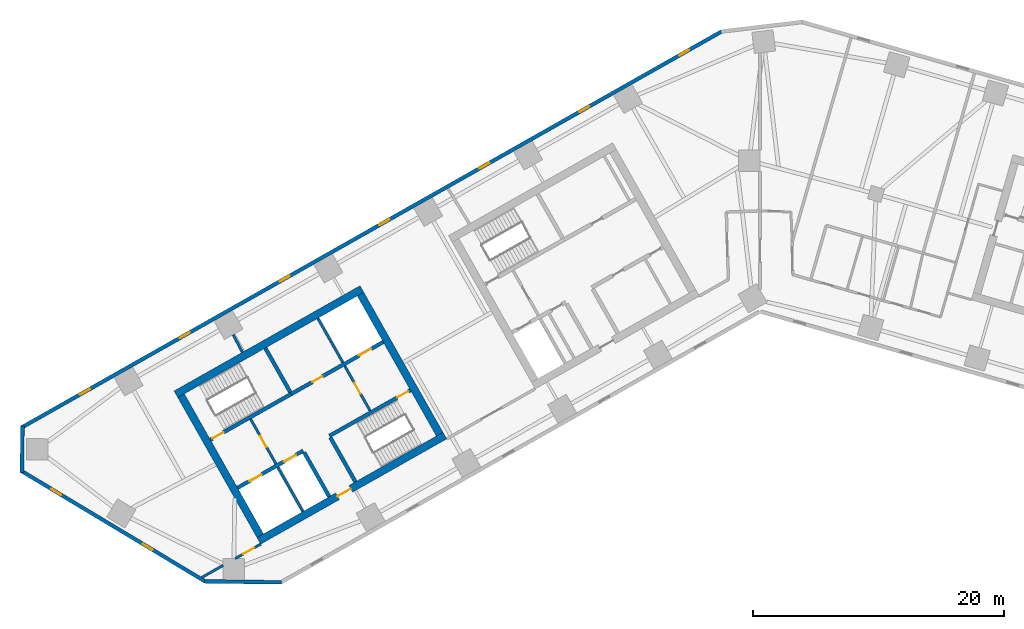
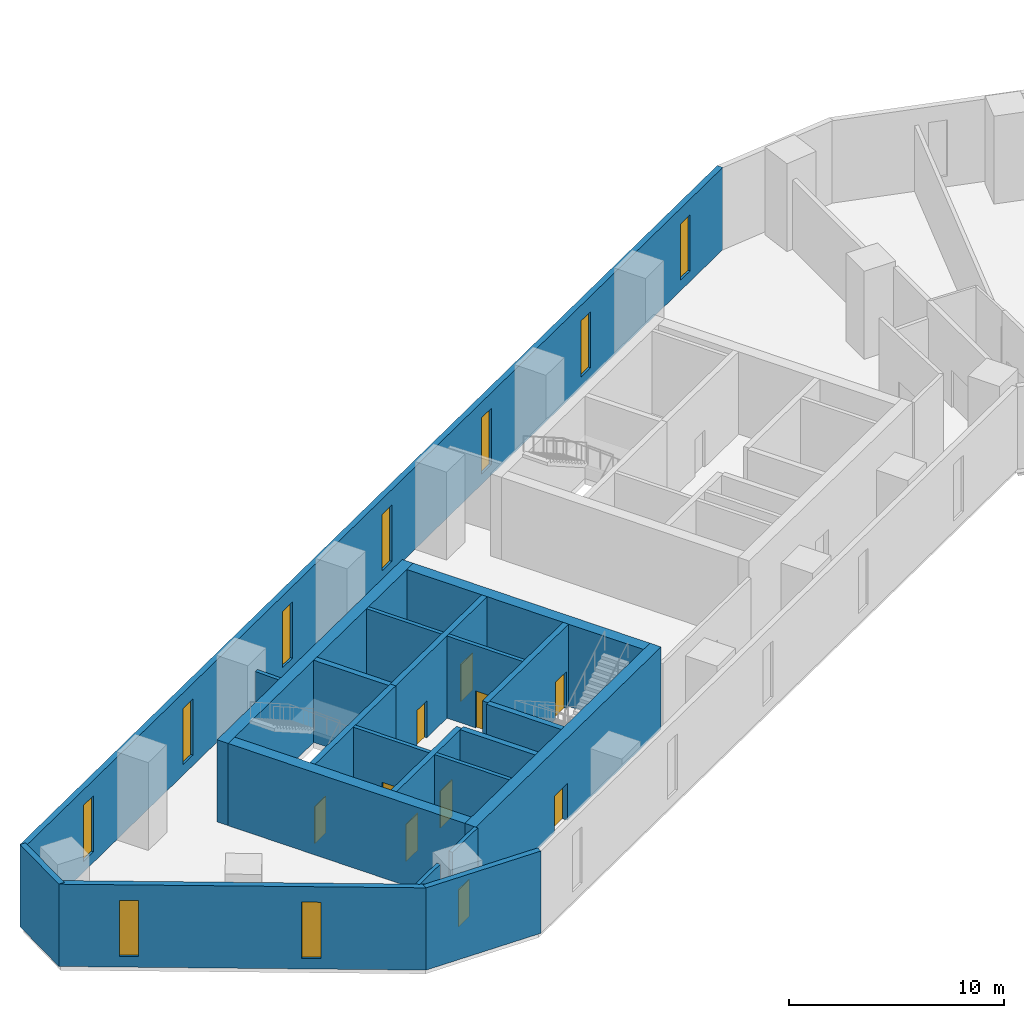
# One storey, part 3 of 10: 22 walls, 10 doors, 9 windows, 19 openings.
"""IFC4 building model written with IfcOpenShell, lengths in metres."""

import ifcopenshell
import ifcopenshell.guid

model = None  # the IFC model being written
_history = None  # IfcOwnerHistory: only IFC2X3 demands one
_inside = {}  # id of a spatial element -> (the spatial element, [elements in it])
_under = {}  # id of a project, library or spatial element -> (it, [spatial elements below it])
_declared = {}  # id of a project -> (the project, [libraries it declares])
_typed = {}  # id of a type object -> (the type object, [elements of that type])
_made_of = {}  # id of a material, layer set ... -> (it, [elements and type objects made of it])


def new_model(schema):
    """Start an empty IFC model of exactly this schema.

    Asked for "IFC4X3", IfcOpenShell would pick the latest addendum, in which some entities
    have other attributes; the version numbers below select the first issue.
    IFC2X3 requires an IfcOwnerHistory on every rooted entity: one is made here for all.
    """
    global model, _history
    if schema == "IFC4X3":
        model = ifcopenshell.file(schema_version=(4, 3, 0, 0))
    else:
        model = ifcopenshell.file(schema=schema)
    _inside.clear()
    _under.clear()
    _declared.clear()
    _typed.clear()
    _made_of.clear()
    _history = None
    if model.schema == "IFC2X3":
        org = make("IfcOrganization", Name="unknown")
        user = make(
            "IfcPersonAndOrganization",
            ThePerson=make("IfcPerson", FamilyName="unknown"),
            TheOrganization=org,
        )
        app = make(
            "IfcApplication",
            ApplicationDeveloper=org,
            Version="unknown",
            ApplicationFullName="unknown",
            ApplicationIdentifier="unknown",
        )
        _history = make(
            "IfcOwnerHistory",
            OwningUser=user,
            OwningApplication=app,
            ChangeAction="ADDED",
            CreationDate=0,
        )
    return model


def make(cls, **values):
    """One entity of the class cls with the attributes given. An attribute that is None is left unset."""
    return model.create_entity(
        cls, **{name: value for name, value in values.items() if value is not None}
    )


def rooted(cls, **values):
    """An entity with a GlobalId (a new one), such as an element, a storey or a relation."""
    return make(cls, GlobalId=ifcopenshell.guid.new(), OwnerHistory=_history, **values)


def si_unit(unit_type, name, prefix=None):
    """IfcSIUnit, for example si_unit("LENGTHUNIT", "METRE", prefix="MILLI")."""
    return make("IfcSIUnit", UnitType=unit_type, Prefix=prefix, Name=name)


def assignment(units):
    """IfcUnitAssignment: the units of a project."""
    return None if units is None else make("IfcUnitAssignment", Units=units)


def point(xyz):
    """IfcCartesianPoint."""
    return None if xyz is None else make("IfcCartesianPoint", Coordinates=xyz)


def direction(xyz):
    """IfcDirection."""
    return None if xyz is None else make("IfcDirection", DirectionRatios=xyz)


def frame(location, z_axis=None, x_axis=None):
    """IfcAxis2Placement3D, a coordinate frame: its origin and axes. An axis left out is left unset."""
    return make(
        "IfcAxis2Placement3D",
        Location=point(location),
        Axis=direction(z_axis),
        RefDirection=direction(x_axis),
    )


def frame_2d(location, x_axis=None):
    """IfcAxis2Placement2D, a coordinate frame in the plane: its origin and x axis."""
    return make(
        "IfcAxis2Placement2D", Location=point(location), RefDirection=direction(x_axis)
    )


def origin():
    """The frame at (0, 0, 0) with its axes left unset."""
    return frame((0.0, 0.0, 0.0))


def place(relative_to, where):
    """IfcLocalPlacement: puts the frame where relative to a parent placement (None: the world)."""
    return make(
        "IfcLocalPlacement", PlacementRelTo=relative_to, RelativePlacement=where
    )


def context(
    kind, dimensions, precision=None, world=None, true_north=None, identifier=None
):
    """IfcGeometricRepresentationContext, for example the 3D "Model" context."""
    return make(
        "IfcGeometricRepresentationContext",
        ContextIdentifier=identifier,
        ContextType=kind,
        CoordinateSpaceDimension=dimensions,
        Precision=precision,
        WorldCoordinateSystem=world,
        TrueNorth=true_north,
    )


def subcontext(parent, identifier, kind, view, scale=None):
    """IfcGeometricRepresentationSubContext, for example "Body" below "Model"."""
    return make(
        "IfcGeometricRepresentationSubContext",
        ContextIdentifier=identifier,
        ContextType=kind,
        ParentContext=parent,
        TargetScale=scale,
        TargetView=view,
    )


def project(units=None, contexts=None):
    """IfcProject with its units and contexts."""
    return rooted(
        "IfcProject",
        Name="project",
        RepresentationContexts=contexts,
        UnitsInContext=assignment(units),
    )


def spatial(cls, under=None, at=None, **own):
    """A site, building, storey or space (cls), placed at a placement, below another one or the project."""
    s = rooted(cls, ObjectPlacement=at, **own)
    if under is not None:
        _under.setdefault(under.id(), (under, []))[1].append(s)
    return s


def profile(cls, at=None, kind="AREA", **sizes):
    """A parametric profile (cls). Its sizes go by their IFC names, for example OverallWidth=200.0."""
    return make(cls, ProfileType=kind, Position=at, **sizes)


def rectangle(**sizes):
    """IfcRectangleProfileDef."""
    return profile("IfcRectangleProfileDef", **sizes)


def extrude(swept, where, along, depth):
    """IfcExtrudedAreaSolid: the profile swept, set in the frame where, extruded along a direction by depth."""
    return make(
        "IfcExtrudedAreaSolid",
        SweptArea=swept,
        Position=where,
        ExtrudedDirection=direction(along),
        Depth=depth,
    )


def shape(context_of_items, identifier, shape_type, items):
    """IfcShapeRepresentation: the items that make up one representation, for example the "Body"."""
    return make(
        "IfcShapeRepresentation",
        ContextOfItems=context_of_items,
        RepresentationIdentifier=identifier,
        RepresentationType=shape_type,
        Items=items,
    )


def material(Name=None, Category=None):
    """IfcMaterial."""
    return make("IfcMaterial", Name=Name, Category=Category)


def layer(
    of_material, thickness, ventilated=None, Name=None, Category=None, Priority=None
):
    """IfcMaterialLayer: one layer of a wall or slab, of a material (None: an air gap)."""
    return make(
        "IfcMaterialLayer",
        Material=of_material,
        LayerThickness=thickness,
        IsVentilated=ventilated,
        Name=Name,
        Category=Category,
        Priority=Priority,
    )


def layer_set(layers, Name=None):
    """IfcMaterialLayerSet."""
    return make("IfcMaterialLayerSet", MaterialLayers=layers, LayerSetName=Name)


def made_of(thing, what):
    """Note that an element or type object is made of a material, layer set ...; save() writes the relation."""
    if what is not None:
        _made_of.setdefault(what.id(), (what, []))[1].append(thing)
    return thing


def type_object(cls, material=None, **own):
    """A type object (cls), such as IfcWallType, which elements share."""
    return made_of(rooted(cls, **own), material)


def element(
    cls,
    number,
    at=None,
    inside=None,
    cuts=None,
    type_object=None,
    material=None,
    context=None,
    identifier="Body",
    shape_type=None,
    held_by="IfcProductDefinitionShape",
    body=None,
    shapes=None,
    **own,
):
    """One element of the class cls, such as IfcWall. Its Tag is "e" and its number.

    at: its placement. inside: the storey or other place that contains it. cuts: it is an
    opening in that element (IfcRelVoidsElement). A single representation is given by context,
    identifier, shape_type and body (its items); several are given by shapes. held_by: the class
    of the entity that holds the representations. save() writes the other relations.
    """
    e = rooted(cls, Tag="e%d" % number, ObjectPlacement=at, **own)
    if body is not None:
        shapes = [shape(context, identifier, shape_type, body)]
    if shapes is not None:
        e.Representation = make(held_by, Representations=shapes)
    if inside is not None:
        _inside.setdefault(inside.id(), (inside, []))[1].append(e)
    if cuts is not None:
        rooted(
            "IfcRelVoidsElement", RelatingBuildingElement=cuts, RelatedOpeningElement=e
        )
    if type_object is not None:
        _typed.setdefault(type_object.id(), (type_object, []))[1].append(e)
    return made_of(e, material)


def fill(opening, filler):
    """IfcRelFillsElement: the door or window that sits in an opening."""
    return rooted(
        "IfcRelFillsElement",
        RelatingOpeningElement=opening,
        RelatedBuildingElement=filler,
    )


def aggregate(whole, parts):
    """IfcRelAggregates: a whole, such as a stair, and the parts it consists of."""
    return rooted("IfcRelAggregates", RelatingObject=whole, RelatedObjects=parts)


def save(model, path):
    """Write the relations noted so far, then the file.

    IfcRelAggregates (storeys below a building ...), IfcRelContainedInSpatialStructure (elements
    in a storey), IfcRelDefinesByType, IfcRelAssociatesMaterial and IfcRelDeclares: one each for
    every whole, place, type object, material and project.
    """
    for whole, parts in _under.values():
        aggregate(whole, parts)
    for where, things in _inside.values():
        rooted(
            "IfcRelContainedInSpatialStructure",
            RelatedElements=things,
            RelatingStructure=where,
        )
    for kind, things in _typed.values():
        rooted("IfcRelDefinesByType", RelatedObjects=things, RelatingType=kind)
    for what, things in _made_of.values():
        rooted("IfcRelAssociatesMaterial", RelatedObjects=things, RelatingMaterial=what)
    for by, libraries in _declared.values():
        rooted("IfcRelDeclares", RelatingContext=by, RelatedDefinitions=libraries)
    model.write(path)


model = new_model("IFC4")

# Units and contexts
model_context = context("Model", 3, precision=1e-05, world=origin(), true_north=direction((0.0, 1.0)))
body_context = subcontext(model_context, "Body", "Model", "MODEL_VIEW")
ifc_project = project(units=[si_unit("LENGTHUNIT", "METRE"), si_unit("AREAUNIT", "SQUARE_METRE"), si_unit("VOLUMEUNIT", "CUBIC_METRE"), si_unit("PLANEANGLEUNIT", "RADIAN"), si_unit("MASSUNIT", "GRAM", prefix="KILO")], contexts=[model_context])

# Site, building, storey
site_placement = place(None, origin())
site = spatial("IfcSite", under=ifc_project, at=site_placement, CompositionType="ELEMENT")
building_placement = place(site_placement, origin())
building = spatial("IfcBuilding", under=site, at=building_placement, Name="Binnacle Exchange Tower", CompositionType="ELEMENT")
storey_placement = place(building_placement, frame((0.0, 0.0, 71.5)))
storey = spatial("IfcBuildingStorey", under=building, at=storey_placement, Name="L14", CompositionType="ELEMENT", Elevation=71.5)

# Wall, openings, doors
ifc_material_1 = material(Name="Concrete C70/85", Category="concrete")
ifc_layer_1 = layer(ifc_material_1, 0.300048828125)
ifc_layer_set_1 = layer_set([ifc_layer_1], Name="Core wall - front 300")
wall_type_1 = type_object("IfcWallType", Name="Core wall - front 300", PredefinedType="SOLIDWALL", material=ifc_layer_set_1)
wall_1_placement = place(storey_placement, frame((-41.555908203125, 33.9609375, 0.0), z_axis=(0.0, 0.0, 1.0), x_axis=(0.870343731308, 0.492444706919, 0.0)))
wall_1 = element("IfcWall", 1, at=wall_1_placement, inside=storey, type_object=wall_type_1, Name="Core wall CRWA2", PredefinedType="SOLIDWALL", context=body_context, shape_type="SweptSolid", body=[
    extrude(rectangle(XDim=5.999755859375, YDim=0.300048828125, at=frame_2d((3.0, 0.0))), origin(), (0.0, 0.0, 1.0), 4.679931640625),
])
opening_1_placement = place(wall_1_placement, frame((1.099853515625, 0.0, 0.0)))
opening_1 = element("IfcOpeningElement", 2, at=opening_1_placement, cuts=wall_1, Name="Opening LD12", PredefinedType="OPENING", context=body_context, shape_type="SweptSolid", body=[
    extrude(rectangle(XDim=1.10009765625, YDim=2.10009765625, at=frame_2d((0.550048828125, 1.050048828125))), frame((0.0, 0.159912109375, 0.0), z_axis=(0.0, -1.0, 0.0), x_axis=(1.0, 0.0, 0.0)), (0.0, 0.0, 1.0), 0.320068359375),
])
opening_2_placement = place(wall_1_placement, frame((4.25, 0.0, 0.0)))
opening_2 = element("IfcOpeningElement", 3, at=opening_2_placement, cuts=wall_1, Name="Opening LD8", PredefinedType="OPENING", context=body_context, shape_type="SweptSolid", body=[
    extrude(rectangle(XDim=1.10009765625, YDim=2.10009765625, at=frame_2d((0.550048828125, 1.050048828125))), frame((0.0, 0.159912109375, 0.0), z_axis=(0.0, -1.0, 0.0), x_axis=(1.0, 0.0, 0.0)), (0.0, 0.0, 1.0), 0.320068359375),
])
ifc_material_2 = material(Name="Steel door leaf", Category="steel")
door_type_1 = type_object("IfcDoorType", Name="Fire door - lift landing 1100", OperationType="NOTDEFINED", PredefinedType="DOOR", material=ifc_material_2)
door_1_placement = place(opening_1_placement, origin())
door_1 = element("IfcDoor", 4, at=door_1_placement, inside=storey, type_object=door_type_1, Name="Landing door LD12 L14", OperationType="DOUBLE_DOOR_SLIDING", OverallHeight=2.10009765625, OverallWidth=1.10009765625, PredefinedType="DOOR", context=body_context, shape_type="SweptSolid", body=[
    extrude(rectangle(XDim=1.10009765625, YDim=2.10009765625, at=frame_2d((0.550048828125, 1.050048828125))), frame((0.0, 0.02490234375, 0.0), z_axis=(0.0, -1.0, 0.0), x_axis=(1.0, 0.0, 0.0)), (0.0, 0.0, 1.0), 0.050048828125),
])
fill(opening_1, door_1)
door_2_placement = place(opening_2_placement, origin())
door_2 = element("IfcDoor", 5, at=door_2_placement, inside=storey, type_object=door_type_1, Name="Landing door LD8 L14", OperationType="DOUBLE_DOOR_SLIDING", OverallHeight=2.10009765625, OverallWidth=1.10009765625, PredefinedType="DOOR", context=body_context, shape_type="SweptSolid", body=[
    extrude(rectangle(XDim=1.10009765625, YDim=2.10009765625, at=frame_2d((0.550048828125, 1.050048828125))), frame((0.0, 0.02490234375, 0.0), z_axis=(0.0, -1.0, 0.0), x_axis=(1.0, 0.0, 0.0)), (0.0, 0.0, 1.0), 0.050048828125),
])
fill(opening_2, door_2)

wall_2_placement = place(storey_placement, frame((-37.281982421875, 41.4345703125, 0.0), z_axis=(0.0, 0.0, 1.0), x_axis=(0.870356516133, 0.492422110414, 0.0)))
wall_2 = element("IfcWall", 6, at=wall_2_placement, inside=storey, type_object=wall_type_1, Name="Core wall CRWA5", PredefinedType="SOLIDWALL", context=body_context, shape_type="SweptSolid", body=[
    extrude(rectangle(XDim=8.399658203125, YDim=0.300048828125, at=frame_2d((4.19970703125, 0.0))), origin(), (0.0, 0.0, 1.0), 4.679931640625),
])
opening_3_placement = place(wall_2_placement, frame((6.199951171875, 0.0, 0.0)))
opening_3 = element("IfcOpeningElement", 7, at=opening_3_placement, cuts=wall_2, Name="Opening LD13", PredefinedType="OPENING", context=body_context, shape_type="SweptSolid", body=[
    extrude(rectangle(XDim=1.10009765625, YDim=2.10009765625, at=frame_2d((0.550048828125, 1.050048828125))), frame((0.0, 0.159912109375, 0.0), z_axis=(0.0, -1.0, 0.0), x_axis=(1.0, 0.0, 0.0)), (0.0, 0.0, 1.0), 0.320068359375),
])
opening_4_placement = place(wall_2_placement, frame((1.949951171875, 0.0, 0.0)))
opening_4 = element("IfcOpeningElement", 8, at=opening_4_placement, cuts=wall_2, Name="Opening DA10", PredefinedType="OPENING", context=body_context, shape_type="SweptSolid", body=[
    extrude(rectangle(XDim=0.89990234375, YDim=2.10009765625, at=frame_2d((0.449951171875, 1.050048828125))), frame((0.0, 0.159912109375, 0.0), z_axis=(0.0, -1.0, 0.0), x_axis=(1.0, 0.0, 0.0)), (0.0, 0.0, 1.0), 0.320068359375),
])
door_3_placement = place(opening_3_placement, origin())
door_3 = element("IfcDoor", 9, at=door_3_placement, inside=storey, type_object=door_type_1, Name="Landing door LD13 L14", OperationType="DOUBLE_DOOR_SLIDING", OverallHeight=2.10009765625, OverallWidth=1.10009765625, PredefinedType="DOOR", context=body_context, shape_type="SweptSolid", body=[
    extrude(rectangle(XDim=1.10009765625, YDim=2.10009765625, at=frame_2d((0.550048828125, 1.050048828125))), frame((0.0, 0.02490234375, 0.0), z_axis=(0.0, -1.0, 0.0), x_axis=(1.0, 0.0, 0.0)), (0.0, 0.0, 1.0), 0.050048828125),
])
fill(opening_3, door_3)
door_type_2 = type_object("IfcDoorType", Name="Fire door 900", OperationType="NOTDEFINED", PredefinedType="DOOR", material=ifc_material_2)
door_4_placement = place(opening_4_placement, origin())
door_4 = element("IfcDoor", 10, at=door_4_placement, inside=storey, type_object=door_type_2, Name="Core room door TELECOM RISER ROOM", OperationType="SINGLE_SWING_LEFT", OverallHeight=2.10009765625, OverallWidth=0.89990234375, PredefinedType="DOOR", context=body_context, shape_type="SweptSolid", body=[
    extrude(rectangle(XDim=0.89990234375, YDim=2.10009765625, at=frame_2d((0.449951171875, 1.050048828125))), frame((0.0, 0.02490234375, 0.0), z_axis=(0.0, -1.0, 0.0), x_axis=(1.0, 0.0, 0.0)), (0.0, 0.0, 1.0), 0.050048828125),
])
fill(opening_4, door_4)

# Wall
wall_3_placement = place(storey_placement, frame((-36.260009765625, 36.784912109375, 0.0), z_axis=(0.0, 0.0, 1.0), x_axis=(0.492440575896, -0.870346068648, 0.0)))
element("IfcWall", 11, at=wall_3_placement, inside=storey, type_object=wall_type_1, Name="Core wall CRWA13", PredefinedType="SOLIDWALL", context=body_context, shape_type="SweptSolid", body=[
    extrude(rectangle(XDim=4.050048828125, YDim=0.300048828125, at=frame_2d((2.02490234375, 0.0))), origin(), (0.0, 0.0, 1.0), 4.679931640625),
])

# Wall, opening, door
ifc_layer_2 = layer(ifc_material_1, 0.60009765625)
ifc_layer_set_2 = layer_set([ifc_layer_2], Name="Core wall - outer 600")
wall_type_2 = type_object("IfcWallType", Name="Core wall - outer 600", PredefinedType="SOLIDWALL", material=ifc_layer_set_2)
wall_4_placement = place(storey_placement, frame((-39.8623046875, 29.748779296875, 0.0), z_axis=(0.0, 0.0, 1.0), x_axis=(0.870350116061, 0.492433422375, 0.0)))
wall_4 = element("IfcWall", 12, at=wall_4_placement, inside=storey, type_object=wall_type_2, Name="Core wall CRWA1", PredefinedType="SOLIDWALL", context=body_context, shape_type="SweptSolid", body=[
    extrude(rectangle(XDim=17.0, YDim=0.60009765625, at=frame_2d((8.5, 0.0))), origin(), (0.0, 0.0, 1.0), 4.679931640625),
])
opening_5_placement = place(wall_4_placement, frame((7.199951171875, 0.0, 0.0)))
opening_5 = element("IfcOpeningElement", 13, at=opening_5_placement, cuts=wall_4, Name="Opening DA7", PredefinedType="OPENING", context=body_context, shape_type="SweptSolid", body=[
    extrude(rectangle(XDim=1.199951171875, YDim=2.10009765625, at=frame_2d((0.60009765625, 1.050048828125))), frame((0.0, 0.31005859375, 0.0), z_axis=(0.0, -1.0, 0.0), x_axis=(1.0, 0.0, 0.0)), (0.0, 0.0, 1.0), 0.6201171875),
])
door_type_3 = type_object("IfcDoorType", Name="Fire door 1200", OperationType="NOTDEFINED", PredefinedType="DOOR", material=ifc_material_2)
door_5_placement = place(opening_5_placement, frame((1.199951171875, 0.0, 0.0), z_axis=(0.0, 0.0, 1.0), x_axis=(-1.0, 0.0, 0.0)))
door_5 = element("IfcDoor", 14, at=door_5_placement, inside=storey, type_object=door_type_3, Name="Lift lobby entrance door core A", OperationType="SINGLE_SWING_RIGHT", OverallHeight=2.10009765625, OverallWidth=1.199951171875, PredefinedType="DOOR", context=body_context, shape_type="SweptSolid", body=[
    extrude(rectangle(XDim=1.199951171875, YDim=2.10009765625, at=frame_2d((0.60009765625, 1.050048828125))), frame((0.0, 0.02490234375, 0.0), z_axis=(0.0, -1.0, 0.0), x_axis=(1.0, 0.0, 0.0)), (0.0, 0.0, 1.0), 0.050048828125),
])
fill(opening_5, door_5)

# Walls
wall_5_placement = place(storey_placement, frame((-46.460693359375, 41.41162109375, 0.0), z_axis=(0.0, 0.0, 1.0), x_axis=(0.870350116061, 0.492433422375, 0.0)))
element("IfcWall", 15, at=wall_5_placement, inside=storey, type_object=wall_type_2, Name="Core wall CRWA6", PredefinedType="SOLIDWALL", context=body_context, shape_type="SweptSolid", body=[
    extrude(rectangle(XDim=17.0, YDim=0.60009765625, at=frame_2d((8.5, 0.0))), origin(), (0.0, 0.0, 1.0), 4.679931640625),
])
for number, where, z_axis, x_axis, name in (
    (16, (-46.052001953125, 41.29833984375, 0.0), (0.0, 0.0, 1.0), (0.492418598281, -0.870358503186, 0.0), "Core wall CRWA7"),
    (17, (-31.7783203125, 49.3740234375, 0.0), (0.0, 0.0, 1.0), (0.492433046652, -0.870350328641, 0.0), "Core wall CRWA22"),
):
    element("IfcWall", number, at=place(storey_placement, frame(where, z_axis=z_axis, x_axis=x_axis)), inside=storey, type_object=wall_type_2, Name=name, PredefinedType="SOLIDWALL", context=body_context, shape_type="SweptSolid", body=[
        extrude(rectangle(XDim=12.800048828125, YDim=0.60009765625, at=frame_2d((6.39990234375, 0.0))), origin(), (0.0, 0.0, 1.0), 4.679931640625),
    ])

# Wall, opening, door
ifc_layer_3 = layer(ifc_material_1, 0.300048828125)
ifc_layer_set_3 = layer_set([ifc_layer_3], Name="Core wall - stair 300")
wall_type_3 = type_object("IfcWallType", Name="Core wall - stair 300", PredefinedType="SOLIDWALL", material=ifc_layer_set_3)
wall_6_placement = place(storey_placement, frame((-34.2451171875, 38.097412109375, 0.0), z_axis=(0.0, 0.0, 1.0), x_axis=(0.870364910201, 0.492407273597, 0.0)))
wall_6 = element("IfcWall", 18, at=wall_6_placement, inside=storey, type_object=wall_type_3, Name="Core wall CRWA3", PredefinedType="SOLIDWALL", context=body_context, shape_type="SweptSolid", body=[
    extrude(rectangle(XDim=7.39990234375, YDim=0.300048828125, at=frame_2d((3.699951171875, 0.0))), origin(), (0.0, 0.0, 1.0), 4.679931640625),
])
opening_6_placement = place(wall_6_placement, frame((6.199951171875, 0.0, 0.0)))
opening_6 = element("IfcOpeningElement", 19, at=opening_6_placement, cuts=wall_6, Name="Opening DA2", PredefinedType="OPENING", context=body_context, shape_type="SweptSolid", body=[
    extrude(rectangle(XDim=1.0, YDim=2.10009765625, at=frame_2d((0.5, 1.050048828125))), frame((0.0, 0.159912109375, 0.0), z_axis=(0.0, -1.0, 0.0), x_axis=(1.0, 0.0, 0.0)), (0.0, 0.0, 1.0), 0.320068359375),
])
door_type_4 = type_object("IfcDoorType", Name="Fire door 1000", OperationType="NOTDEFINED", PredefinedType="DOOR", material=ifc_material_2)
door_6_placement = place(opening_6_placement, frame((1.0, 0.0, 0.0), z_axis=(0.0, 0.0, 1.0), x_axis=(-1.0, 0.0, 0.0)))
door_6 = element("IfcDoor", 20, at=door_6_placement, inside=storey, type_object=door_type_4, Name="Stair door ST-A2", OperationType="SINGLE_SWING_LEFT", OverallHeight=2.10009765625, OverallWidth=1.0, PredefinedType="DOOR", context=body_context, shape_type="SweptSolid", body=[
    extrude(rectangle(XDim=1.0, YDim=2.10009765625, at=frame_2d((0.5, 1.050048828125))), frame((0.0, 0.02490234375, 0.0), z_axis=(0.0, -1.0, 0.0), x_axis=(1.0, 0.0, 0.0)), (0.0, 0.0, 1.0), 0.050048828125),
])
fill(opening_6, door_6)

wall_7_placement = place(storey_placement, frame((-43.72265625, 37.79052734375, 0.0), z_axis=(0.0, 0.0, 1.0), x_axis=(0.87035077051, 0.49243226567, 0.0)))
wall_7 = element("IfcWall", 21, at=wall_7_placement, inside=storey, type_object=wall_type_3, Name="Core wall CRWA4", PredefinedType="SOLIDWALL", context=body_context, shape_type="SweptSolid", body=[
    extrude(rectangle(XDim=7.400146484375, YDim=0.300048828125, at=frame_2d((3.7001953125, 0.0))), origin(), (0.0, 0.0, 1.0), 4.679931640625),
])
opening_7_placement = place(wall_7_placement, frame((0.199951171875, 0.0, 0.0)))
opening_7 = element("IfcOpeningElement", 22, at=opening_7_placement, cuts=wall_7, Name="Opening DA1", PredefinedType="OPENING", context=body_context, shape_type="SweptSolid", body=[
    extrude(rectangle(XDim=1.0, YDim=2.10009765625, at=frame_2d((0.5, 1.050048828125))), frame((0.0, 0.159912109375, 0.0), z_axis=(0.0, -1.0, 0.0), x_axis=(1.0, 0.0, 0.0)), (0.0, 0.0, 1.0), 0.320068359375),
])
door_7_placement = place(opening_7_placement, origin())
door_7 = element("IfcDoor", 23, at=door_7_placement, inside=storey, type_object=door_type_4, Name="Stair door ST-A1", OperationType="SINGLE_SWING_LEFT", OverallHeight=2.10009765625, OverallWidth=1.0, PredefinedType="DOOR", context=body_context, shape_type="SweptSolid", body=[
    extrude(rectangle(XDim=1.0, YDim=2.10009765625, at=frame_2d((0.5, 1.050048828125))), frame((0.0, 0.02490234375, 0.0), z_axis=(0.0, -1.0, 0.0), x_axis=(1.0, 0.0, 0.0)), (0.0, 0.0, 1.0), 0.050048828125),
])
fill(opening_7, door_7)

# Walls
wall_8_placement = place(storey_placement, frame((-39.350341796875, 45.090087890625, 0.0), z_axis=(0.0, 0.0, 1.0), x_axis=(0.49241474071, -0.870360685654, 0.0)))
element("IfcWall", 24, at=wall_8_placement, inside=storey, type_object=wall_type_3, Name="Core wall CRWA14", PredefinedType="SOLIDWALL", context=body_context, shape_type="SweptSolid", body=[
    extrude(rectangle(XDim=4.05029296875, YDim=0.300048828125, at=frame_2d((2.025146484375, 0.0))), origin(), (0.0, 0.0, 1.0), 4.679931640625),
])
wall_9_placement = place(storey_placement, frame((-34.171142578125, 37.966796875, 0.0), z_axis=(0.0, 0.0, 1.0), x_axis=(0.492394910396, -0.870371904542, 0.0)))
element("IfcWall", 25, at=wall_9_placement, inside=storey, type_object=wall_type_3, Name="Core wall CRWA16", PredefinedType="SOLIDWALL", context=body_context, shape_type="SweptSolid", body=[
    extrude(rectangle(XDim=4.0498046875, YDim=0.300048828125, at=frame_2d((2.02490234375, 0.0))), origin(), (0.0, 0.0, 1.0), 4.679931640625),
])

# Wall, openings, windows
ifc_material_3 = material(Name="Bronze aluminium cladding", Category="aluminium")
ifc_layer_4 = layer(ifc_material_3, 0.300048828125)
ifc_layer_set_4 = layer_set([ifc_layer_4], Name="External wall - spandrel 300")
wall_type_4 = type_object("IfcWallType", Name="External wall - spandrel 300", PredefinedType="STANDARD", material=ifc_layer_set_4)
wall_10_placement = place(storey_placement, frame((-58.744873046875, 38.763671875, 0.0), z_axis=(0.0, 0.0, 1.0), x_axis=(0.870355811726, 0.492423355453, 0.0)))
wall_10 = element("IfcWall", 26, at=wall_10_placement, inside=storey, type_object=wall_type_4, Name="External wall EW-F03 L14", PredefinedType="STANDARD", context=body_context, shape_type="SweptSolid", body=[
    extrude(rectangle(XDim=64.025390625, YDim=0.300048828125, at=frame_2d((32.0126953125, 0.0))), origin(), (0.0, 0.0, 1.0), 4.679931640625),
])
opening_8_placement = place(wall_10_placement, frame((60.12158203125, 0.0, 0.60009765625)))
opening_8 = element("IfcOpeningElement", 27, at=opening_8_placement, cuts=wall_10, Name="Opening WS1", PredefinedType="OPENING", context=body_context, shape_type="SweptSolid", body=[
    extrude(rectangle(XDim=0.89990234375, YDim=3.199951171875, at=frame_2d((0.449951171875, 1.60009765625))), frame((0.0, 0.159912109375, 0.0), z_axis=(0.0, -1.0, 0.0), x_axis=(1.0, 0.0, 0.0)), (0.0, 0.0, 1.0), 0.320068359375),
])
opening_9_placement = place(wall_10_placement, frame((50.99169921875, 0.0, 0.60009765625)))
opening_9 = element("IfcOpeningElement", 28, at=opening_9_placement, cuts=wall_10, Name="Opening WS1", PredefinedType="OPENING", context=body_context, shape_type="SweptSolid", body=[
    extrude(rectangle(XDim=0.89990234375, YDim=3.199951171875, at=frame_2d((0.449951171875, 1.60009765625))), frame((0.0, 0.159912109375, 0.0), z_axis=(0.0, -1.0, 0.0), x_axis=(1.0, 0.0, 0.0)), (0.0, 0.0, 1.0), 0.320068359375),
])
opening_10_placement = place(wall_10_placement, frame((41.86181640625, 0.0, 0.60009765625)))
opening_10 = element("IfcOpeningElement", 29, at=opening_10_placement, cuts=wall_10, Name="Opening WS1", PredefinedType="OPENING", context=body_context, shape_type="SweptSolid", body=[
    extrude(rectangle(XDim=0.89990234375, YDim=3.199951171875, at=frame_2d((0.449951171875, 1.60009765625))), frame((0.0, 0.159912109375, 0.0), z_axis=(0.0, -1.0, 0.0), x_axis=(1.0, 0.0, 0.0)), (0.0, 0.0, 1.0), 0.320068359375),
])
opening_11_placement = place(wall_10_placement, frame((32.73193359375, 0.0, 0.60009765625)))
opening_11 = element("IfcOpeningElement", 30, at=opening_11_placement, cuts=wall_10, Name="Opening WS1", PredefinedType="OPENING", context=body_context, shape_type="SweptSolid", body=[
    extrude(rectangle(XDim=0.89990234375, YDim=3.199951171875, at=frame_2d((0.449951171875, 1.60009765625))), frame((0.0, 0.159912109375, 0.0), z_axis=(0.0, -1.0, 0.0), x_axis=(1.0, 0.0, 0.0)), (0.0, 0.0, 1.0), 0.320068359375),
])
opening_12_placement = place(wall_10_placement, frame((23.60205078125, 0.0, 0.60009765625)))
opening_12 = element("IfcOpeningElement", 31, at=opening_12_placement, cuts=wall_10, Name="Opening WS1", PredefinedType="OPENING", context=body_context, shape_type="SweptSolid", body=[
    extrude(rectangle(XDim=0.89990234375, YDim=3.199951171875, at=frame_2d((0.449951171875, 1.60009765625))), frame((0.0, 0.159912109375, 0.0), z_axis=(0.0, -1.0, 0.0), x_axis=(1.0, 0.0, 0.0)), (0.0, 0.0, 1.0), 0.320068359375),
])
opening_13_placement = place(wall_10_placement, frame((14.47216796875, 0.0, 0.60009765625)))
opening_13 = element("IfcOpeningElement", 32, at=opening_13_placement, cuts=wall_10, Name="Opening WS1", PredefinedType="OPENING", context=body_context, shape_type="SweptSolid", body=[
    extrude(rectangle(XDim=0.89990234375, YDim=3.199951171875, at=frame_2d((0.449951171875, 1.60009765625))), frame((0.0, 0.159912109375, 0.0), z_axis=(0.0, -1.0, 0.0), x_axis=(1.0, 0.0, 0.0)), (0.0, 0.0, 1.0), 0.320068359375),
])
opening_14_placement = place(wall_10_placement, frame((5.34228515625, 0.0, 0.60009765625)))
opening_14 = element("IfcOpeningElement", 33, at=opening_14_placement, cuts=wall_10, Name="Opening WS1", PredefinedType="OPENING", context=body_context, shape_type="SweptSolid", body=[
    extrude(rectangle(XDim=0.89990234375, YDim=3.199951171875, at=frame_2d((0.449951171875, 1.60009765625))), frame((0.0, 0.159912109375, 0.0), z_axis=(0.0, -1.0, 0.0), x_axis=(1.0, 0.0, 0.0)), (0.0, 0.0, 1.0), 0.320068359375),
])
ifc_material_4 = material(Name="Bronze anodised aluminium frame", Category="aluminium")
window_type = type_object("IfcWindowType", Name="WS1 WINDOW 900x3200", PartitioningType="SINGLE_PANEL", PredefinedType="WINDOW", material=ifc_material_4)
window_1_placement = place(opening_8_placement, origin())
window_1 = element("IfcWindow", 34, at=window_1_placement, inside=storey, type_object=window_type, Name="Window WS1 L14", OverallHeight=3.199951171875, OverallWidth=0.89990234375, PartitioningType="SINGLE_PANEL", PredefinedType="WINDOW", context=body_context, shape_type="SweptSolid", body=[
    extrude(rectangle(XDim=0.89990234375, YDim=3.199951171875, at=frame_2d((0.449951171875, 1.60009765625))), frame((0.0, 0.030029296875, 0.0), z_axis=(0.0, -1.0, 0.0), x_axis=(1.0, 0.0, 0.0)), (0.0, 0.0, 1.0), 0.06005859375),
])
fill(opening_8, window_1)
window_2_placement = place(opening_9_placement, origin())
window_2 = element("IfcWindow", 35, at=window_2_placement, inside=storey, type_object=window_type, Name="Window WS1 L14", OverallHeight=3.199951171875, OverallWidth=0.89990234375, PartitioningType="SINGLE_PANEL", PredefinedType="WINDOW", context=body_context, shape_type="SweptSolid", body=[
    extrude(rectangle(XDim=0.89990234375, YDim=3.199951171875, at=frame_2d((0.449951171875, 1.60009765625))), frame((0.0, 0.030029296875, 0.0), z_axis=(0.0, -1.0, 0.0), x_axis=(1.0, 0.0, 0.0)), (0.0, 0.0, 1.0), 0.06005859375),
])
fill(opening_9, window_2)
window_3_placement = place(opening_10_placement, origin())
window_3 = element("IfcWindow", 36, at=window_3_placement, inside=storey, type_object=window_type, Name="Window WS1 L14", OverallHeight=3.199951171875, OverallWidth=0.89990234375, PartitioningType="SINGLE_PANEL", PredefinedType="WINDOW", context=body_context, shape_type="SweptSolid", body=[
    extrude(rectangle(XDim=0.89990234375, YDim=3.199951171875, at=frame_2d((0.449951171875, 1.60009765625))), frame((0.0, 0.030029296875, 0.0), z_axis=(0.0, -1.0, 0.0), x_axis=(1.0, 0.0, 0.0)), (0.0, 0.0, 1.0), 0.06005859375),
])
fill(opening_10, window_3)
window_4_placement = place(opening_11_placement, origin())
window_4 = element("IfcWindow", 37, at=window_4_placement, inside=storey, type_object=window_type, Name="Window WS1 L14", OverallHeight=3.199951171875, OverallWidth=0.89990234375, PartitioningType="SINGLE_PANEL", PredefinedType="WINDOW", context=body_context, shape_type="SweptSolid", body=[
    extrude(rectangle(XDim=0.89990234375, YDim=3.199951171875, at=frame_2d((0.449951171875, 1.60009765625))), frame((0.0, 0.030029296875, 0.0), z_axis=(0.0, -1.0, 0.0), x_axis=(1.0, 0.0, 0.0)), (0.0, 0.0, 1.0), 0.06005859375),
])
fill(opening_11, window_4)
window_5_placement = place(opening_12_placement, origin())
window_5 = element("IfcWindow", 38, at=window_5_placement, inside=storey, type_object=window_type, Name="Window WS1 L14", OverallHeight=3.199951171875, OverallWidth=0.89990234375, PartitioningType="SINGLE_PANEL", PredefinedType="WINDOW", context=body_context, shape_type="SweptSolid", body=[
    extrude(rectangle(XDim=0.89990234375, YDim=3.199951171875, at=frame_2d((0.449951171875, 1.60009765625))), frame((0.0, 0.030029296875, 0.0), z_axis=(0.0, -1.0, 0.0), x_axis=(1.0, 0.0, 0.0)), (0.0, 0.0, 1.0), 0.06005859375),
])
fill(opening_12, window_5)
window_6_placement = place(opening_13_placement, origin())
window_6 = element("IfcWindow", 39, at=window_6_placement, inside=storey, type_object=window_type, Name="Window WS1 L14", OverallHeight=3.199951171875, OverallWidth=0.89990234375, PartitioningType="SINGLE_PANEL", PredefinedType="WINDOW", context=body_context, shape_type="SweptSolid", body=[
    extrude(rectangle(XDim=0.89990234375, YDim=3.199951171875, at=frame_2d((0.449951171875, 1.60009765625))), frame((0.0, 0.030029296875, 0.0), z_axis=(0.0, -1.0, 0.0), x_axis=(1.0, 0.0, 0.0)), (0.0, 0.0, 1.0), 0.06005859375),
])
fill(opening_13, window_6)
window_7_placement = place(opening_14_placement, origin())
window_7 = element("IfcWindow", 40, at=window_7_placement, inside=storey, type_object=window_type, Name="Window WS1 L14", OverallHeight=3.199951171875, OverallWidth=0.89990234375, PartitioningType="SINGLE_PANEL", PredefinedType="WINDOW", context=body_context, shape_type="SweptSolid", body=[
    extrude(rectangle(XDim=0.89990234375, YDim=3.199951171875, at=frame_2d((0.449951171875, 1.60009765625))), frame((0.0, 0.030029296875, 0.0), z_axis=(0.0, -1.0, 0.0), x_axis=(1.0, 0.0, 0.0)), (0.0, 0.0, 1.0), 0.06005859375),
])
fill(opening_14, window_7)

# Wall
wall_11_placement = place(storey_placement, frame((-58.717041015625, 35.19384765625, 0.0), z_axis=(0.0, 0.0, 1.0), x_axis=(0.013069053407, 0.999914596275, 0.0)))
element("IfcWall", 41, at=wall_11_placement, inside=storey, type_object=wall_type_4, Name="External wall EW-F04 L14", PredefinedType="STANDARD", context=body_context, shape_type="SweptSolid", body=[
    extrude(rectangle(XDim=3.69873046875, YDim=0.300048828125, at=frame_2d((1.849365234375, 0.0))), origin(), (0.0, 0.0, 1.0), 4.679931640625),
])

# Wall, openings, windows
wall_12_placement = place(storey_placement, frame((-44.109375, 26.503662109375, 0.0), z_axis=(0.0, 0.0, 1.0), x_axis=(-0.857169502585, 0.515034410344, 0.0)))
wall_12 = element("IfcWall", 42, at=wall_12_placement, inside=storey, type_object=wall_type_4, Name="External wall EW-F05 L14", PredefinedType="STANDARD", context=body_context, shape_type="SweptSolid", body=[
    extrude(rectangle(XDim=17.126708984375, YDim=0.300048828125, at=frame_2d((8.5634765625, 0.0))), origin(), (0.0, 0.0, 1.0), 4.679931640625),
])
opening_15_placement = place(wall_12_placement, frame((13.403076171875, 0.0, 0.60009765625)))
opening_15 = element("IfcOpeningElement", 43, at=opening_15_placement, cuts=wall_12, Name="Opening WS1", PredefinedType="OPENING", context=body_context, shape_type="SweptSolid", body=[
    extrude(rectangle(XDim=0.89990234375, YDim=3.199951171875, at=frame_2d((0.449951171875, 1.60009765625))), frame((0.0, 0.159912109375, 0.0), z_axis=(0.0, -1.0, 0.0), x_axis=(1.0, 0.0, 0.0)), (0.0, 0.0, 1.0), 0.320068359375),
])
opening_16_placement = place(wall_12_placement, frame((4.903076171875, 0.0, 0.60009765625)))
opening_16 = element("IfcOpeningElement", 44, at=opening_16_placement, cuts=wall_12, Name="Opening WS1", PredefinedType="OPENING", context=body_context, shape_type="SweptSolid", body=[
    extrude(rectangle(XDim=0.89990234375, YDim=3.199951171875, at=frame_2d((0.449951171875, 1.60009765625))), frame((0.0, 0.159912109375, 0.0), z_axis=(0.0, -1.0, 0.0), x_axis=(1.0, 0.0, 0.0)), (0.0, 0.0, 1.0), 0.320068359375),
])
window_8_placement = place(opening_15_placement, origin())
window_8 = element("IfcWindow", 45, at=window_8_placement, inside=storey, type_object=window_type, Name="Window WS1 L14", OverallHeight=3.199951171875, OverallWidth=0.89990234375, PartitioningType="SINGLE_PANEL", PredefinedType="WINDOW", context=body_context, shape_type="SweptSolid", body=[
    extrude(rectangle(XDim=0.89990234375, YDim=3.199951171875, at=frame_2d((0.449951171875, 1.60009765625))), frame((0.0, 0.030029296875, 0.0), z_axis=(0.0, -1.0, 0.0), x_axis=(1.0, 0.0, 0.0)), (0.0, 0.0, 1.0), 0.06005859375),
])
fill(opening_15, window_8)
window_9_placement = place(opening_16_placement, origin())
window_9 = element("IfcWindow", 46, at=window_9_placement, inside=storey, type_object=window_type, Name="Window WS1 L14", OverallHeight=3.199951171875, OverallWidth=0.89990234375, PartitioningType="SINGLE_PANEL", PredefinedType="WINDOW", context=body_context, shape_type="SweptSolid", body=[
    extrude(rectangle(XDim=0.89990234375, YDim=3.199951171875, at=frame_2d((0.449951171875, 1.60009765625))), frame((0.0, 0.030029296875, 0.0), z_axis=(0.0, -1.0, 0.0), x_axis=(1.0, 0.0, 0.0)), (0.0, 0.0, 1.0), 0.06005859375),
])
fill(opening_16, window_9)

# Walls
wall_13_placement = place(storey_placement, frame((-38.057373046875, 26.44482421875, 0.0), z_axis=(0.0, 0.0, 1.0), x_axis=(-0.999914086342, 0.013108010296, 0.0)))
element("IfcWall", 47, at=wall_13_placement, inside=storey, type_object=wall_type_4, Name="External wall EW-F06 L14", PredefinedType="STANDARD", context=body_context, shape_type="SweptSolid", body=[
    extrude(rectangle(XDim=6.127685546875, YDim=0.300048828125, at=frame_2d((3.06396484375, 0.0))), origin(), (0.0, 0.0, 1.0), 4.679931640625),
])
ifc_material_5 = material(Name="Masonry block wall", Category="masonry")
ifc_layer_5 = layer(ifc_material_5, 0.199951171875)
ifc_layer_set_5 = layer_set([ifc_layer_5], Name="Fire wall - block 200")
wall_type_5 = type_object("IfcWallType", Name="Fire wall - block 200", PredefinedType="PARTITIONING", material=ifc_layer_set_5)
wall_14_placement = place(storey_placement, frame((-44.385986328125, 26.844970703125, 0.0), z_axis=(0.0, 0.0, 1.0), x_axis=(0.870226201187, 0.492652371118, 0.0)))
element("IfcWall", 48, at=wall_14_placement, inside=storey, type_object=wall_type_5, Name="Partition W01", PredefinedType="PARTITIONING", context=body_context, shape_type="SweptSolid", body=[
    extrude(rectangle(XDim=1.9326171875, YDim=0.199951171875, at=frame_2d((0.96630859375, 0.0))), origin(), (0.0, 0.0, 1.0), 4.679931640625),
])
wall_15_placement = place(storey_placement, frame((-41.908935546875, 46.152099609375, 0.0), z_axis=(0.0, 0.0, 1.0), x_axis=(0.466755273883, -0.884386518612, 0.0)))
element("IfcWall", 49, at=wall_15_placement, inside=storey, type_object=wall_type_5, Name="Partition W02", PredefinedType="PARTITIONING", context=body_context, shape_type="SweptSolid", body=[
    extrude(rectangle(XDim=1.58544921875, YDim=0.199951171875, at=frame_2d((0.792724609375, 0.0))), origin(), (0.0, 0.0, 1.0), 4.260009765625),
])

# Wall, opening, door
wall_16_placement = place(storey_placement, frame((-41.738037109375, 28.343017578125, 0.0), z_axis=(0.0, 0.0, 1.0), x_axis=(0.870265350095, 0.492583211676, 0.0)))
wall_16 = element("IfcWall", 50, at=wall_16_placement, inside=storey, type_object=wall_type_5, Name="Partition W03", PredefinedType="PARTITIONING", context=body_context, shape_type="SweptSolid", body=[
    extrude(rectangle(XDim=2.324462890625, YDim=0.199951171875, at=frame_2d((1.162109375, 0.0))), origin(), (0.0, 0.0, 1.0), 4.679931640625),
])
opening_17_placement = place(wall_16_placement, frame((0.699951171875, 0.0, 0.0)))
opening_17 = element("IfcOpeningElement", 51, at=opening_17_placement, cuts=wall_16, Name="Opening DL14-01", PredefinedType="OPENING", context=body_context, shape_type="SweptSolid", body=[
    extrude(rectangle(XDim=1.0, YDim=2.10009765625, at=frame_2d((0.5, 1.050048828125))), frame((0.0, 0.10986328125, 0.0), z_axis=(0.0, -1.0, 0.0), x_axis=(1.0, 0.0, 0.0)), (0.0, 0.0, 1.0), 0.219970703125),
])
door_8_placement = place(opening_17_placement, origin())
door_8 = element("IfcDoor", 52, at=door_8_placement, inside=storey, type_object=door_type_4, Name="Door DL14-01", OperationType="SINGLE_SWING_RIGHT", OverallHeight=2.10009765625, OverallWidth=1.0, PredefinedType="DOOR", context=body_context, shape_type="SweptSolid", body=[
    extrude(rectangle(XDim=1.0, YDim=2.10009765625, at=frame_2d((0.5, 1.050048828125))), frame((0.0, 0.02490234375, 0.0), z_axis=(0.0, -1.0, 0.0), x_axis=(1.0, 0.0, 0.0)), (0.0, 0.0, 1.0), 0.050048828125),
])
fill(opening_17, door_8)

ifc_layer_6 = layer(ifc_material_5, 0.199951171875)
ifc_layer_set_6 = layer_set([ifc_layer_6], Name="Fire wall - vestibule 200")
wall_type_6 = type_object("IfcWallType", Name="Fire wall - vestibule 200", PredefinedType="PARTITIONING", material=ifc_layer_set_6)
wall_17_placement = place(storey_placement, frame((-40.515625, 39.4326171875, 0.0), z_axis=(0.0, 0.0, 1.0), x_axis=(0.492453559952, -0.87033872216, 0.0)))
wall_17 = element("IfcWall", 53, at=wall_17_placement, inside=storey, type_object=wall_type_6, Name="Core wall CRWA10", PredefinedType="PARTITIONING", context=body_context, shape_type="SweptSolid", body=[
    extrude(rectangle(XDim=4.099853515625, YDim=0.199951171875, at=frame_2d((2.0498046875, 0.0))), origin(), (0.0, 0.0, 1.0), 4.679931640625),
])
opening_18_placement = place(wall_17_placement, frame((1.550048828125, 0.0, 0.0)))
opening_18 = element("IfcOpeningElement", 54, at=opening_18_placement, cuts=wall_17, Name="Opening DA3", PredefinedType="OPENING", context=body_context, shape_type="SweptSolid", body=[
    extrude(rectangle(XDim=1.0, YDim=2.10009765625, at=frame_2d((0.5, 1.050048828125))), frame((0.0, 0.10986328125, 0.0), z_axis=(0.0, -1.0, 0.0), x_axis=(1.0, 0.0, 0.0)), (0.0, 0.0, 1.0), 0.219970703125),
])
door_9_placement = place(opening_18_placement, frame((1.0, 0.0, 0.0), z_axis=(0.0, 0.0, 1.0), x_axis=(-1.0, 0.0, 0.0)))
door_9 = element("IfcDoor", 55, at=door_9_placement, inside=storey, type_object=door_type_4, Name="Vestibule door VEST-W", OperationType="SINGLE_SWING_LEFT", OverallHeight=2.10009765625, OverallWidth=1.0, PredefinedType="DOOR", context=body_context, shape_type="SweptSolid", body=[
    extrude(rectangle(XDim=1.0, YDim=2.10009765625, at=frame_2d((0.5, 1.050048828125))), frame((0.0, 0.02490234375, 0.0), z_axis=(0.0, -1.0, 0.0), x_axis=(1.0, 0.0, 0.0)), (0.0, 0.0, 1.0), 0.050048828125),
])
fill(opening_18, door_9)

wall_18_placement = place(storey_placement, frame((-33.030517578125, 43.66748046875, 0.0), z_axis=(0.0, 0.0, 1.0), x_axis=(0.492408451753, -0.87036424366, 0.0)))
wall_18 = element("IfcWall", 56, at=wall_18_placement, inside=storey, type_object=wall_type_6, Name="Core wall CRWA19", PredefinedType="PARTITIONING", context=body_context, shape_type="SweptSolid", body=[
    extrude(rectangle(XDim=4.099853515625, YDim=0.199951171875, at=frame_2d((2.0498046875, 0.0))), origin(), (0.0, 0.0, 1.0), 4.679931640625),
])
opening_19_placement = place(wall_18_placement, frame((1.550048828125, 0.0, 0.0)))
opening_19 = element("IfcOpeningElement", 57, at=opening_19_placement, cuts=wall_18, Name="Opening DA4", PredefinedType="OPENING", context=body_context, shape_type="SweptSolid", body=[
    extrude(rectangle(XDim=1.0, YDim=2.10009765625, at=frame_2d((0.5, 1.050048828125))), frame((0.0, 0.10986328125, 0.0), z_axis=(0.0, -1.0, 0.0), x_axis=(1.0, 0.0, 0.0)), (0.0, 0.0, 1.0), 0.219970703125),
])
door_10_placement = place(opening_19_placement, origin())
door_10 = element("IfcDoor", 58, at=door_10_placement, inside=storey, type_object=door_type_4, Name="Vestibule door VEST-E", OperationType="SINGLE_SWING_RIGHT", OverallHeight=2.10009765625, OverallWidth=1.0, PredefinedType="DOOR", context=body_context, shape_type="SweptSolid", body=[
    extrude(rectangle(XDim=1.0, YDim=2.10009765625, at=frame_2d((0.5, 1.050048828125))), frame((0.0, 0.02490234375, 0.0), z_axis=(0.0, -1.0, 0.0), x_axis=(1.0, 0.0, 0.0)), (0.0, 0.0, 1.0), 0.050048828125),
])
fill(opening_19, door_10)

# Walls
ifc_layer_7 = layer(ifc_material_5, 0.199951171875)
ifc_layer_set_7 = layer_set([ifc_layer_7], Name="Shaft wall 200")
wall_type_7 = type_object("IfcWallType", Name="Shaft wall 200", PredefinedType="SOLIDWALL", material=ifc_layer_set_7)
wall_19_placement = place(storey_placement, frame((-38.348876953125, 35.603271484375, 0.0), z_axis=(0.0, 0.0, 1.0), x_axis=(0.49241474071, -0.870360685654, 0.0)))
element("IfcWall", 59, at=wall_19_placement, inside=storey, type_object=wall_type_7, Name="Core wall CRWA9", PredefinedType="SOLIDWALL", context=body_context, shape_type="SweptSolid", body=[
    extrude(rectangle(XDim=4.05029296875, YDim=0.199951171875, at=frame_2d((2.025146484375, 0.0))), origin(), (0.0, 0.0, 1.0), 4.679931640625),
])
wall_20_placement = place(storey_placement, frame((-35.172607421875, 47.45361328125, 0.0), z_axis=(0.0, 0.0, 1.0), x_axis=(0.492440575896, -0.870346068648, 0.0)))
element("IfcWall", 60, at=wall_20_placement, inside=storey, type_object=wall_type_7, Name="Core wall CRWA21", PredefinedType="SOLIDWALL", context=body_context, shape_type="SweptSolid", body=[
    extrude(rectangle(XDim=4.050048828125, YDim=0.199951171875, at=frame_2d((2.02490234375, 0.0))), origin(), (0.0, 0.0, 1.0), 4.679931640625),
])

save(model, "model.ifc")
